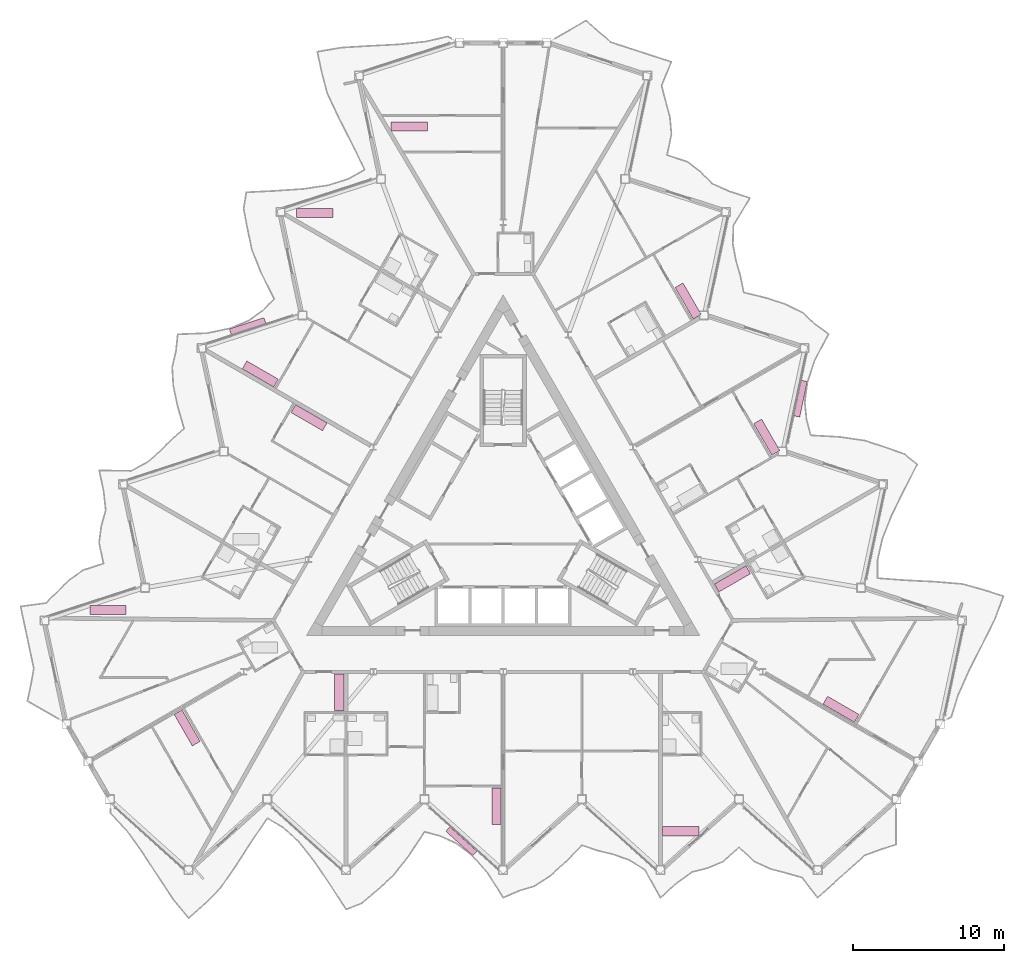
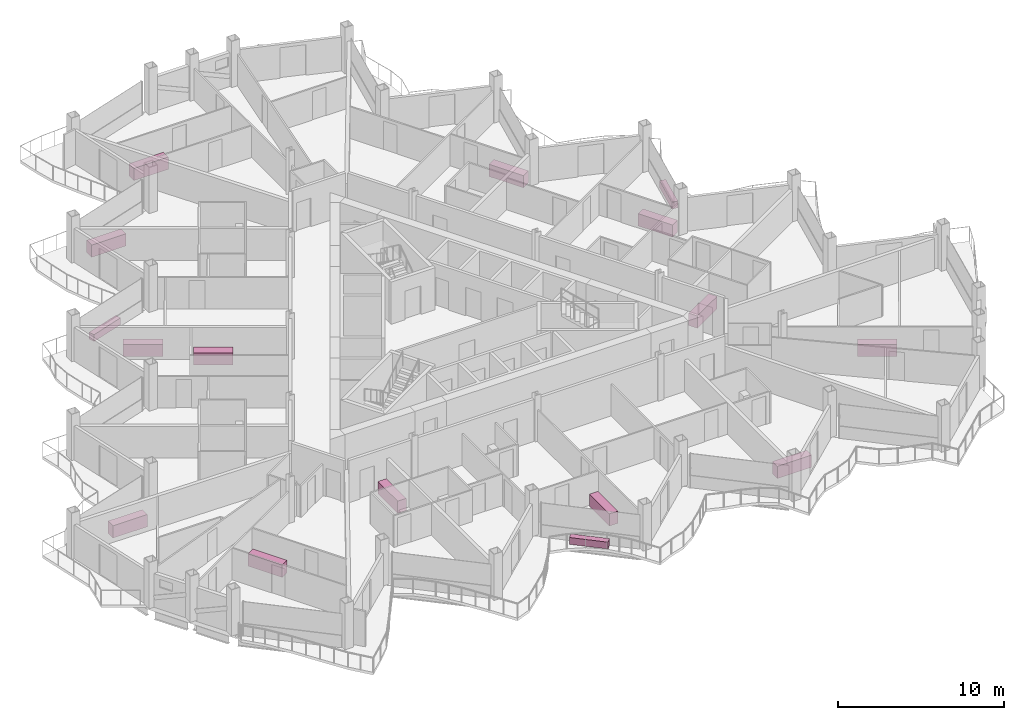
# One storey, part 27 of 27: 16 furniture elements.
"""IFC4 building model written with IfcOpenShell, lengths in metres."""

from ifc_helpers import new_model, si_unit, direction, frame, origin, origin_2d, place, context, subcontext, project, spatial, rectangle, extrude, material, type_object, element, save


model = new_model("IFC4")

# Units and contexts
model_context = context("Model", 3, precision=1e-05, world=origin(), true_north=direction((0.0, 1.0)))
body_context = subcontext(model_context, "Body", "Model", "MODEL_VIEW")
ifc_project = project(units=[si_unit("LENGTHUNIT", "METRE"), si_unit("AREAUNIT", "SQUARE_METRE"), si_unit("VOLUMEUNIT", "CUBIC_METRE"), si_unit("PLANEANGLEUNIT", "RADIAN"), si_unit("MASSUNIT", "GRAM", prefix="KILO")], contexts=[model_context])

# Site, building, storey
site_placement = place(None, origin())
site = spatial("IfcSite", under=ifc_project, at=site_placement, CompositionType="ELEMENT")
building_placement = place(site_placement, origin())
building = spatial("IfcBuilding", under=site, at=building_placement, Name="Cormorant Prow Tower", CompositionType="ELEMENT")
storey_placement = place(building_placement, frame((0.0, 0.0, 332.39990234375)))
storey = spatial("IfcBuildingStorey", under=building, at=storey_placement, Name="L74", CompositionType="ELEMENT", Elevation=332.39990234375)

# Furniture
ifc_material_1 = material(Name="Terracotta", Category="masonry")
furniture_type_1 = type_object("IfcFurnitureType", Name="Balcony planter 2400x400x500", AssemblyPlace="NOTDEFINED", PredefinedType="USERDEFINED", material=ifc_material_1)
for number, where, z_axis, x_axis, name in (
    (1, (-2.765380859375, -21.10302734375, 0.0), (0.0, 0.0, 1.0), (0.743144841442, -0.669130588628, 0.0), "Balcony planter S04"),
    (2, (19.658447265625, 8.156494140625, 0.0), (0.0, 0.0, 1.0), (0.207911729844, 0.978147592438, 0.0), "Balcony planter ENE04"),
    (3, (-16.89306640625, 12.9462890625, 0.0), (0.0, 0.0, 1.0), (-0.951056512137, -0.309017007173, 0.0), "Balcony planter WNW04"),
):
    element("IfcFurniture", number, at=place(storey_placement, frame(where, z_axis=z_axis, x_axis=x_axis)), inside=storey, type_object=furniture_type_1, Name=name, ObjectType="PLANTER", PredefinedType="USERDEFINED", context=body_context, shape_type="SweptSolid", body=[
        extrude(rectangle(XDim=2.39990234375, YDim=0.39990234375, at=origin_2d()), origin(), (0.0, 0.0, 1.0), 0.5),
    ])
ifc_material_2 = material(Name="Timber joinery", Category="wood")
furniture_type_2 = type_object("IfcFurnitureType", Name="Kitchen counter 2400x600", AssemblyPlace="NOTDEFINED", PredefinedType="NOTDEFINED", material=ifc_material_2)
for number, where, z_axis, x_axis, name in (
    (4, (-10.83740234375, -11.25048828125, 0.000244140625), (0.0, 0.0, 1.0), (0.0, -1.0, 0.0), "Kitchen counter"),
    (5, (-0.445068359375, -18.798095703125, 0.000244140625), (0.0, 0.0, 1.0), (0.0, -1.0, 0.0), "Kitchen counter"),
    (6, (11.737548828125, -20.443115234375, 0.000244140625), (0.0, 0.0, 1.0), (1.0, 0.0, 0.0), "Kitchen counter"),
    (7, (22.33349609375, -12.380615234375, 0.000244140625), (0.0, 0.0, 1.0), (-0.866025403784, 0.5, 0.0), "Kitchen counter"),
    (8, (15.162109375, -3.76025390625, 0.000244140625), (0.0, 0.0, 1.0), (0.866025403784, 0.5, 0.0), "Kitchen counter"),
    (9, (17.42578125, 5.61376953125, 0.000244140625), (0.0, 0.0, 1.0), (-0.5, 0.866025403784, 0.0), "Kitchen counter"),
    (10, (12.2294921875, 14.614013671875, 0.000244140625), (0.0, 0.0, 1.0), (-0.5, 0.866025403784, 0.0), "Kitchen counter"),
    (11, (-6.216796875, 26.148193359375, 0.000244140625), (0.0, 0.0, 1.0), (1.0, 0.0, 0.0), "Kitchen counter"),
    (12, (-12.462158203125, 20.432861328125, 0.000244140625), (0.0, 0.0, 1.0), (1.0, 0.0, 0.0), "Kitchen counter"),
    (13, (-16.05712890625, 9.784423828125, 0.000244140625), (0.0, 0.0, 1.0), (-0.866025403784, 0.5, 0.0), "Kitchen counter"),
    (14, (-12.832275390625, 6.89501953125, 0.000244140625), (0.0, 0.0, 1.0), (0.866025403784, -0.5, 0.0), "Kitchen counter"),
    (15, (-26.128662109375, -5.809814453125, 0.000244140625), (0.0, 0.0, 1.0), (1.0, 0.0, 0.0), "Kitchen counter"),
    (16, (-20.889892578125, -13.61376953125, 0.000244140625), (0.0, 0.0, 1.0), (0.5, -0.866025403784, 0.0), "Kitchen counter"),
):
    element("IfcFurniture", number, at=place(storey_placement, frame(where, z_axis=z_axis, x_axis=x_axis)), inside=storey, type_object=furniture_type_2, Name=name, PredefinedType="NOTDEFINED", context=body_context, shape_type="SweptSolid", body=[
        extrude(rectangle(XDim=2.39990234375, YDim=0.60009765625, at=origin_2d()), origin(), (0.0, 0.0, 1.0), 0.89990234375),
    ])

save(model, "model.ifc")
